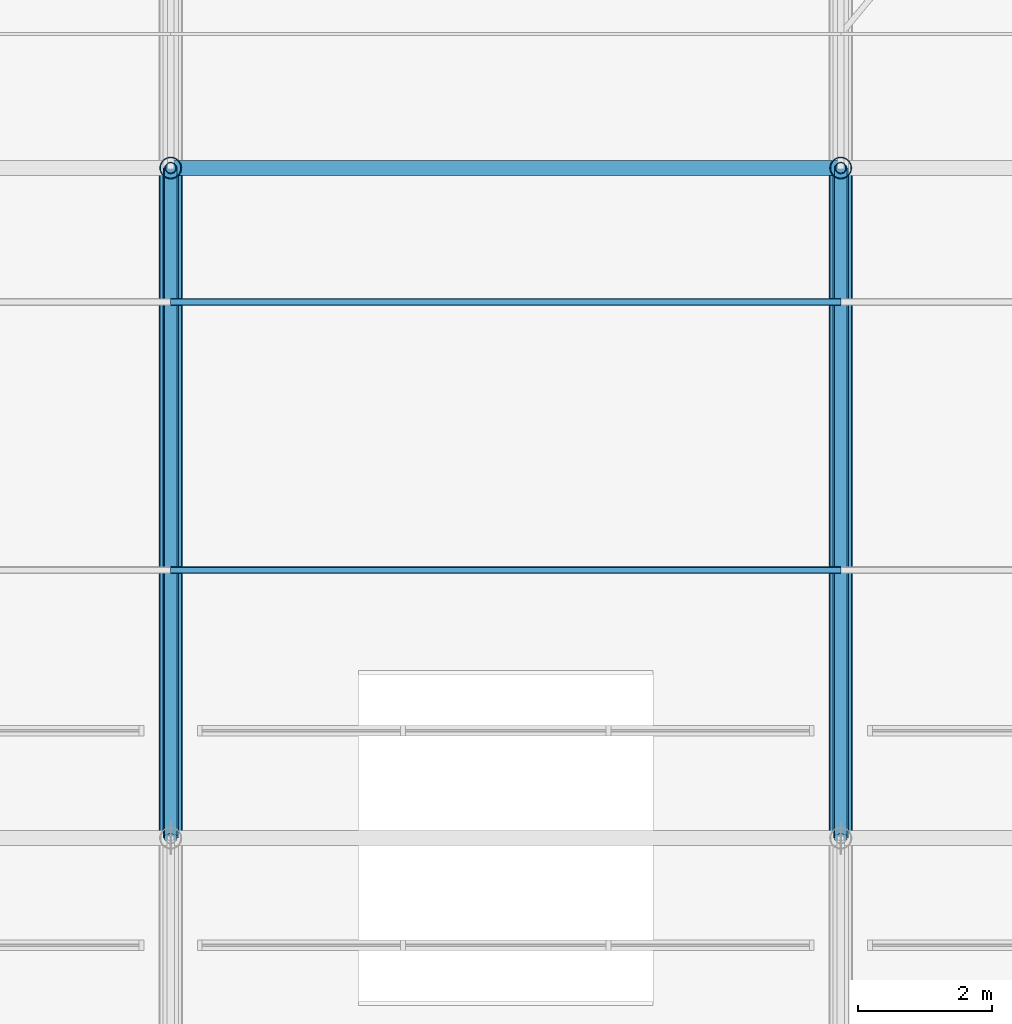
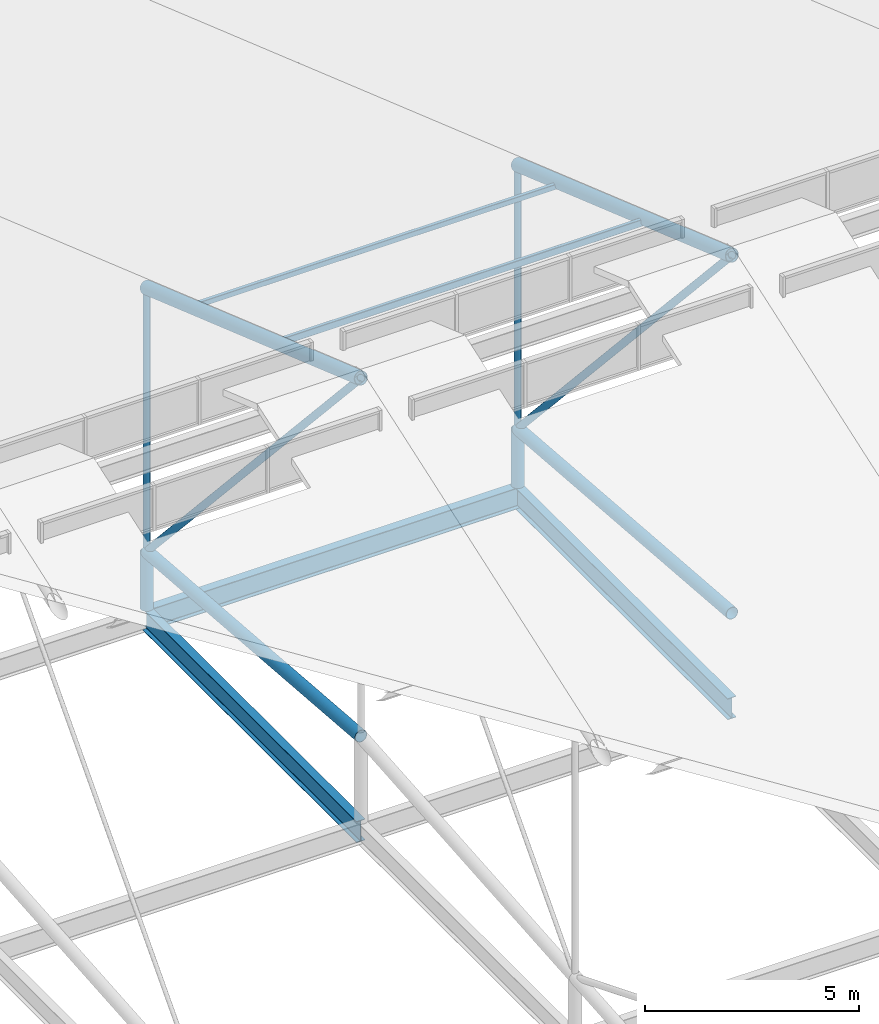
# One storey, part 42 of 93: 12 members, 3 beams.
"""IFC4 building model written with IfcOpenShell, lengths in metres."""

from ifc_helpers import new_model, si_unit, derived_unit, direction, frame, origin, origin_2d_with_axis, place, context, subcontext, project, spatial, hollow_rectangle, hollow_circle, i_section, extrude, material, material_profile, profile_set, type_object, element, save


model = new_model("IFC4")

# Units and contexts
model_context = context("Model", 3, precision=1e-05, world=origin(), true_north=direction((0.0, 1.0)))
body_context = subcontext(model_context, "Body", "Model", "MODEL_VIEW")
ifc_project = project(units=[si_unit("LENGTHUNIT", "METRE"), si_unit("AREAUNIT", "SQUARE_METRE"), si_unit("VOLUMEUNIT", "CUBIC_METRE"), si_unit("PLANEANGLEUNIT", "RADIAN"), si_unit("MASSUNIT", "GRAM", prefix="KILO"), derived_unit("THERMALTRANSMITTANCEUNIT", [(si_unit("POWERUNIT", "WATT"), 1), (si_unit("LENGTHUNIT", "METRE"), -2), (si_unit("THERMODYNAMICTEMPERATUREUNIT", "KELVIN"), -1)])], contexts=[model_context])

# Site, building, storey
site_placement = place(None, origin())
site = spatial("IfcSite", under=ifc_project, at=site_placement, CompositionType="ELEMENT")
building_placement = place(site_placement, origin())
building = spatial("IfcBuilding", under=site, at=building_placement, Name="Cinnabar Yard Market Hall", CompositionType="ELEMENT")
storey_placement = place(building_placement, frame((0.0, 0.0, 23.800048828125)))
storey = spatial("IfcBuildingStorey", under=building, at=storey_placement, Name="ROOF", CompositionType="ELEMENT", Elevation=23.800048828125)

# Beams
ifc_material_1 = material(Name="Steel Grade 300 (300 MPa)", Category="steel")
ifc_material_profile_1 = material_profile(ifc_material_1, i_section(OverallWidth=0.22802734375, OverallDepth=0.60205078125, WebThickness=0.010498046875, FlangeThickness=0.014892578125, FilletRadius=0.013916015625, at=origin_2d_with_axis()), Name="610UB101")
ifc_profile_set_1 = profile_set([ifc_material_profile_1], Name="Steel Grade 300 (300 MPa)")
beam_type = type_object("IfcBeamType", Name="BM-B02", PredefinedType="BEAM", material=ifc_profile_set_1)
for number, where, z_axis, x_axis, name in (
    (1, (126.0, 54.0, -9.700927734375), (1.0, 0.0, 0.0), (0.0, 1.0, 0.0), "Hall Longitudinal Tie Girder 00401"),
    (2, (126.0, 44.0, -9.700927734375), (0.0, 1.0, 0.0), (-1.0, 0.0, 0.0), "Hall Transverse Tie Girder 00434"),
    (3, (136.0, 44.0, -9.700927734375), (0.0, 1.0, 0.0), (-1.0, 0.0, 0.0), "Hall Transverse Tie Girder 00438"),
):
    element("IfcBeam", number, at=place(storey_placement, frame(where, z_axis=z_axis, x_axis=x_axis)), inside=storey, type_object=beam_type, Name=name, PredefinedType="BEAM", context=body_context, shape_type="SweptSolid", body=[
        extrude(i_section(OverallWidth=0.22802734375, OverallDepth=0.60205078125, WebThickness=0.010498046875, FlangeThickness=0.014892578125, FilletRadius=0.013916015625, at=origin_2d_with_axis()), origin(), (0.0, 0.0, 1.0), 10.0),
    ])

# Members
ifc_material_2 = material(Name="Cold-formed steel C350L0", Category="steel")
ifc_material_profile_2 = material_profile(ifc_material_2, hollow_circle(Radius=0.161865234375, WallThickness=0.009521484375, at=origin_2d_with_axis()), Name="323.9x9.5CHS")
ifc_profile_set_2 = profile_set([ifc_material_profile_2], Name="Cold-formed steel C350L0")
member_type_1 = type_object("IfcMemberType", Name="MB-BC01", PredefinedType="CHORD", material=ifc_profile_set_2)
for number, where, z_axis, x_axis, name in (
    (4, (126.0, 44.0, -7.0), (0.0, 0.99681489162, -0.07975005859), (-1.0, 0.0, 0.0), "Hall Truss 126 Bottom Chord 4"),
    (5, (136.0, 44.0, -7.0), (0.0, 0.99681489162, -0.07975005859), (-1.0, 0.0, 0.0), "Hall Truss 136 Bottom Chord 4"),
):
    element("IfcMember", number, at=place(storey_placement, frame(where, z_axis=z_axis, x_axis=x_axis)), inside=storey, type_object=member_type_1, Name=name, PredefinedType="CHORD", context=body_context, shape_type="SweptSolid", body=[
        extrude(hollow_circle(Radius=0.161865234375, WallThickness=0.009521484375, at=origin_2d_with_axis()), origin(), (0.0, 0.0, 1.0), 10.031982421875),
    ])
ifc_material_profile_3 = material_profile(ifc_material_2, hollow_circle(Radius=0.096923828125, WallThickness=0.00634765625, at=origin_2d_with_axis()), Name="193.7x6.4CHS")
ifc_profile_set_3 = profile_set([ifc_material_profile_3], Name="Cold-formed steel C350L0")
member_type_2 = type_object("IfcMemberType", Name="MB-DG04", PredefinedType="BRACE", material=ifc_profile_set_3)
for number, where, z_axis, x_axis, name in (
    (6, (126.0, 44.0, 3.199951171875), (0.0, 0.672672793996, -0.739940073396), (-1.0, 0.0, 0.0), "Hall Truss 126 Diagonal 4"),
    (7, (136.0, 44.0, 3.199951171875), (0.0, 0.672672793996, -0.739940073396), (-1.0, 0.0, 0.0), "Hall Truss 136 Diagonal 4"),
):
    element("IfcMember", number, at=place(storey_placement, frame(where, z_axis=z_axis, x_axis=x_axis)), inside=storey, type_object=member_type_2, Name=name, PredefinedType="BRACE", context=body_context, shape_type="SweptSolid", body=[
        extrude(hollow_circle(Radius=0.096923828125, WallThickness=0.00634765625, at=origin_2d_with_axis()), origin(), (0.0, 0.0, 1.0), 14.865966796875),
    ])
ifc_material_profile_4 = material_profile(ifc_material_2, hollow_rectangle(XDim=0.10009765625, YDim=0.199951171875, WallThickness=0.008056640625, InnerFilletRadius=0.008056640625, OuterFilletRadius=0.01611328125, at=origin_2d_with_axis()), Name="200x100x8.0RHS")
ifc_profile_set_4 = profile_set([ifc_material_profile_4], Name="Cold-formed steel C350L0")
member_type_3 = type_object("IfcMemberType", Name="MB-PU08", PredefinedType="PURLIN", material=ifc_profile_set_4)
member_1_placement = place(storey_placement, frame((126.0, 48.0, 1.767578125), z_axis=(1.0, 0.0, 0.0), x_axis=(0.0, 1.0, 0.0)))
element("IfcMember", 8, at=member_1_placement, inside=storey, type_object=member_type_3, Name="Hall Roof Purlin Y48 X126", PredefinedType="PURLIN", context=body_context, shape_type="SweptSolid", body=[
    extrude(hollow_rectangle(XDim=0.10009765625, YDim=0.199951171875, WallThickness=0.008056640625, InnerFilletRadius=0.008056640625, OuterFilletRadius=0.01611328125, at=origin_2d_with_axis()), origin(), (0.0, 0.0, 1.0), 10.0),
])
ifc_material_profile_5 = material_profile(ifc_material_2, hollow_rectangle(XDim=0.10009765625, YDim=0.14990234375, WallThickness=0.006103515625, InnerFilletRadius=0.006103515625, OuterFilletRadius=0.011962890625, at=origin_2d_with_axis()), Name="150x100x6.0RHS")
ifc_profile_set_5 = profile_set([ifc_material_profile_5], Name="Cold-formed steel C350L0")
member_type_4 = type_object("IfcMemberType", Name="MB-PU09", PredefinedType="PURLIN", material=ifc_profile_set_5)
member_2_placement = place(storey_placement, frame((126.0, 52.0, 0.37548828125), z_axis=(1.0, 0.0, 0.0), x_axis=(0.0, 1.0, 0.0)))
element("IfcMember", 9, at=member_2_placement, inside=storey, type_object=member_type_4, Name="Hall Roof Purlin Y52 X126", PredefinedType="PURLIN", context=body_context, shape_type="SweptSolid", body=[
    extrude(hollow_rectangle(XDim=0.10009765625, YDim=0.14990234375, WallThickness=0.006103515625, InnerFilletRadius=0.006103515625, OuterFilletRadius=0.011962890625, at=origin_2d_with_axis()), origin(), (0.0, 0.0, 1.0), 10.0),
])
ifc_material_3 = material(Name="Spotted-gum glulam-clad steel Grade 350 (350 MPa)", Category="steel")
ifc_material_profile_6 = material_profile(ifc_material_3, hollow_circle(Radius=0.161865234375, WallThickness=0.009521484375, at=origin_2d_with_axis()), Name="323.9x9.5CHS")
ifc_profile_set_6 = profile_set([ifc_material_profile_6], Name="Spotted-gum glulam-clad steel Grade 350 (350 MPa)")
member_type_5 = type_object("IfcMemberType", Name="MB-ST01", PredefinedType="STRUT", material=ifc_profile_set_6)
for number, where, z_axis, x_axis, name in (
    (10, (126.0, 54.0, -9.400146484375), (0.0, 0.0, 1.0), (1.0, 0.0, 0.0), "Truss Bearing Post 126-54"),
    (11, (136.0, 54.0, -9.400146484375), (0.0, 0.0, 1.0), (1.0, 0.0, 0.0), "Truss Bearing Post 136-54"),
):
    element("IfcMember", number, at=place(storey_placement, frame(where, z_axis=z_axis, x_axis=x_axis)), inside=storey, type_object=member_type_5, Name=name, PredefinedType="STRUT", context=body_context, shape_type="SweptSolid", body=[
        extrude(hollow_circle(Radius=0.161865234375, WallThickness=0.009521484375, at=origin_2d_with_axis()), origin(), (0.0, 0.0, 1.0), 1.60009765625),
    ])
ifc_material_profile_7 = material_profile(ifc_material_2, hollow_circle(Radius=0.177734375, WallThickness=0.0126953125, at=origin_2d_with_axis()), Name="355.6x12.7CHS")
ifc_profile_set_7 = profile_set([ifc_material_profile_7], Name="Cold-formed steel C350L0")
member_type_6 = type_object("IfcMemberType", Name="MB-TC01", PredefinedType="CHORD", material=ifc_profile_set_7)
for number, where, z_axis, x_axis, name in (
    (12, (126.0, 44.0, 3.199951171875), (0.0, 0.944424919483, -0.328727199147), (-1.0, 0.0, 0.0), "Hall Truss 126 Top Chord 4"),
    (13, (136.0, 44.0, 3.199951171875), (0.0, 0.944424919483, -0.328727199147), (-1.0, 0.0, 0.0), "Hall Truss 136 Top Chord 4"),
):
    element("IfcMember", number, at=place(storey_placement, frame(where, z_axis=z_axis, x_axis=x_axis)), inside=storey, type_object=member_type_6, Name=name, PredefinedType="CHORD", context=body_context, shape_type="SweptSolid", body=[
        extrude(hollow_circle(Radius=0.177734375, WallThickness=0.0126953125, at=origin_2d_with_axis()), origin(), (0.0, 0.0, 1.0), 10.58837890625),
    ])
ifc_material_profile_8 = material_profile(ifc_material_2, hollow_circle(Radius=0.084228515625, WallThickness=0.00634765625, at=origin_2d_with_axis()), Name="168.3x6.4CHS")
ifc_profile_set_8 = profile_set([ifc_material_profile_8], Name="Cold-formed steel C350L0")
member_type_7 = type_object("IfcMemberType", Name="MB-WB01", PredefinedType="STRUT", material=ifc_profile_set_8)
for number, where, z_axis, x_axis, name in (
    (14, (126.0, 54.0, -7.800048828125), (0.0, 0.0, 1.0), (1.0, 0.0, 0.0), "Hall Truss 126 Post 4"),
    (15, (136.0, 54.0, -7.800048828125), (0.0, 0.0, 1.0), (1.0, 0.0, 0.0), "Hall Truss 136 Post 4"),
):
    element("IfcMember", number, at=place(storey_placement, frame(where, z_axis=z_axis, x_axis=x_axis)), inside=storey, type_object=member_type_7, Name=name, PredefinedType="STRUT", context=body_context, shape_type="SweptSolid", body=[
        extrude(hollow_circle(Radius=0.084228515625, WallThickness=0.00634765625, at=origin_2d_with_axis()), origin(), (0.0, 0.0, 1.0), 7.519287109375),
    ])

save(model, "model.ifc")
